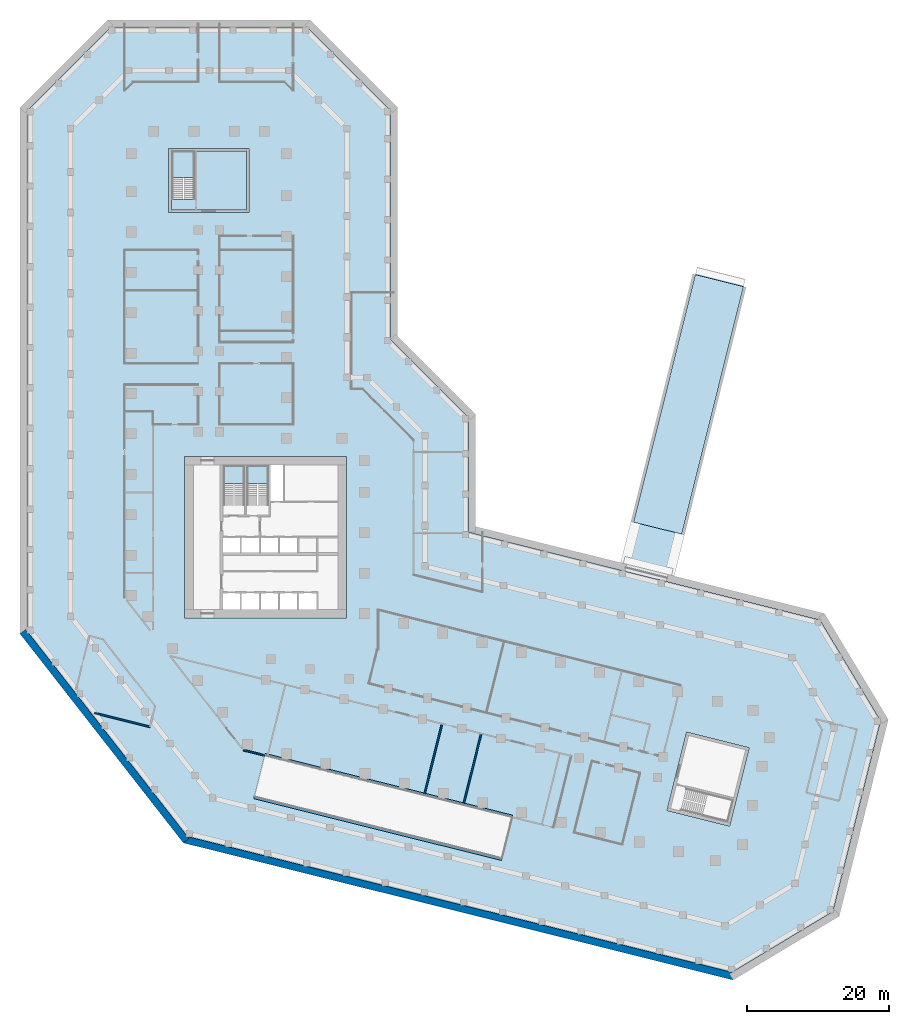
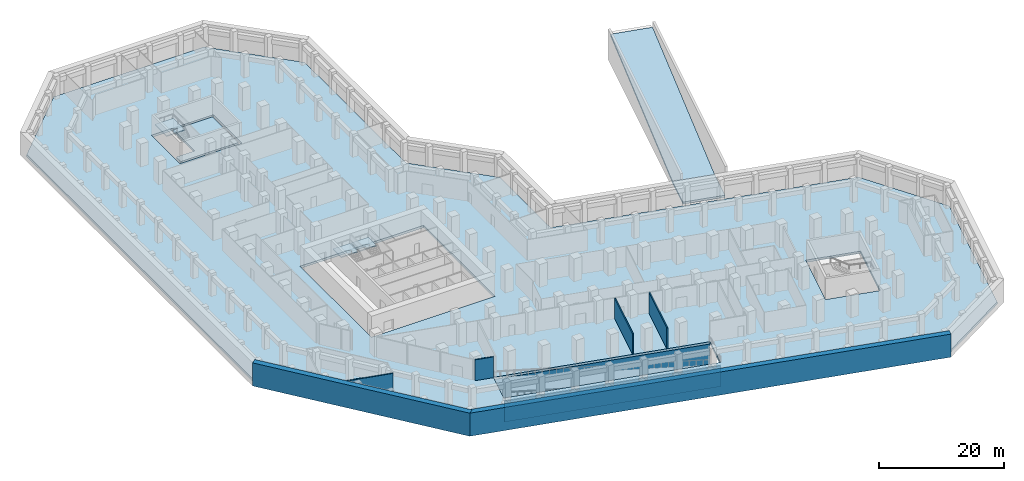
# One storey, part 4 of 14: 8 walls, 7 slabs, 3 elements without a shape of their own.
"""IFC4 building model written with IfcOpenShell, lengths in metres."""

from ifc_helpers import new_model, si_unit, direction, frame, frame_2d, origin, place, context, subcontext, project, spatial, polyline, rectangle, outline, extrude, material, layer, layer_set, type_object, element, aggregate, save


model = new_model("IFC4")

# Units and contexts
model_context = context("Model", 3, precision=1e-05, world=origin(), true_north=direction((0.0, 1.0)))
body_context = subcontext(model_context, "Body", "Model", "MODEL_VIEW")
ifc_project = project(units=[si_unit("LENGTHUNIT", "METRE"), si_unit("AREAUNIT", "SQUARE_METRE"), si_unit("VOLUMEUNIT", "CUBIC_METRE"), si_unit("PLANEANGLEUNIT", "RADIAN"), si_unit("MASSUNIT", "GRAM", prefix="KILO")], contexts=[model_context])

# Site, building, storey
site_placement = place(None, origin())
site = spatial("IfcSite", under=ifc_project, at=site_placement, CompositionType="ELEMENT")
building_placement = place(site_placement, origin())
building = spatial("IfcBuilding", under=site, at=building_placement, Name="Meshkara Civic Tower", CompositionType="ELEMENT")
storey_placement = place(building_placement, frame((0.0, 0.0, -4.5)))
storey = spatial("IfcBuildingStorey", under=building, at=storey_placement, Name="B1", CompositionType="ELEMENT", Elevation=-4.5)

# Slabs
ifc_material_1 = material(Name="Concrete C50", Category="concrete")
ifc_layer_1 = layer(ifc_material_1, 0.449951171875)
ifc_layer_set_1 = layer_set([ifc_layer_1], Name="Basement floor slab 450 C50")
slab_type_1 = type_object("IfcSlabType", Name="Basement floor slab 450 C50", PredefinedType="FLOOR", material=ifc_layer_set_1)
slab_1_placement = place(storey_placement, frame((0.0, 0.0, -0.449951171875)))
element("IfcSlab", 1, at=slab_1_placement, inside=storey, type_object=slab_type_1, Name="Basement floor slab B1", PredefinedType="FLOOR", context=body_context, shape_type="SweptSolid", body=[
    extrude(outline(polyline([(48.050048828125, 42.383056640625), (48.050048828125, 26.2041015625), (97.64990234375, 13.8369140625), (106.221923828125, -0.427001953125), (99.50390625, -27.367919921875), (85.239990234375, -35.93896484375), (8.384033203125, -16.777099609375), (-14.25, 12.193115234375), (-14.25, 85.702880859375), (-2.48291015625, 97.469970703125), (25.282958984375, 97.469970703125), (37.050048828125, 85.702880859375), (37.050048828125, 53.383056640625), (48.050048828125, 42.383056640625)]), holes=[polyline([(19.284912109375, -5.323974609375), (17.8330078125, -11.14501953125), (52.763916015625, -19.85498046875), (54.216064453125, -14.032958984375), (19.284912109375, -5.323974609375)]), polyline([(76.06298828125, -13.090087890625), (84.89208984375, -15.2919921875), (87.64990234375, -4.22998046875), (78.821044921875, -2.029052734375), (76.06298828125, -13.090087890625)]), polyline([(30.800048828125, 14.10009765625), (30.800048828125, 36.89990234375), (8.0, 36.89990234375), (8.0, 14.10009765625), (30.800048828125, 14.10009765625)]), polyline([(5.699951171875, 80.3701171875), (5.699951171875, 71.27001953125), (17.10009765625, 71.27001953125), (17.10009765625, 80.3701171875), (5.699951171875, 80.3701171875)])]), origin(), (0.0, 0.0, 1.0), 0.449951171875),
])
ifc_material_2 = material(Name="Concrete C40/50", Category="concrete")
ifc_layer_2 = layer(ifc_material_2, 0.449951171875)
ifc_layer_set_2 = layer_set([ifc_layer_2], Name="Core floor slab 450 C40/50")
slab_type_2 = type_object("IfcSlabType", Name="Core floor slab 450 C40/50", PredefinedType="FLOOR", material=ifc_layer_set_2)
slab_2_placement = place(storey_placement, frame((0.0, 0.0, -0.449951171875)))
element("IfcSlab", 2, at=slab_2_placement, inside=storey, type_object=slab_type_2, Name="Core floor EA", PredefinedType="FLOOR", context=body_context, shape_type="SweptSolid", body=[
    extrude(outline(polyline([(16.699951171875, 71.669921875), (16.699951171875, 79.969970703125), (9.5, 79.969970703125), (9.5, 73.17138671875), (6.10009765625, 73.17138671875), (6.10009765625, 71.669921875), (16.699951171875, 71.669921875)])), origin(), (0.0, 0.0, 1.0), 0.449951171875),
])

# Stair, slab
ifc_material_3 = material(Name="Precast concrete C40/50", Category="concrete")
stair_type_1 = type_object("IfcStairType", Name="Exit stair half-turn 24 risers precast", PredefinedType="HALF_TURN_STAIR", material=ifc_material_3)
stair_1_placement = place(storey_placement, origin())
stair_1 = element("IfcStair", 3, at=stair_1_placement, inside=storey, type_object=stair_type_1, Name="B1 exit stair 1", PredefinedType="HALF_TURN_STAIR")
ifc_material_4 = material(Name="Precast concrete C40/50", Category="concrete")
ifc_layer_3 = layer(ifc_material_4, 0.199951171875)
ifc_layer_set_3 = layer_set([ifc_layer_3], Name="Exit stair landing 200")
slab_type_3 = type_object("IfcSlabType", Name="Exit stair landing 200", PredefinedType="LANDING", material=ifc_layer_set_3)
slab_3_placement = place(storey_placement, frame((0.0, 0.0, 2.050048828125)))
slab_3 = element("IfcSlab", 4, at=slab_3_placement, type_object=slab_type_3, Name="ST1 landing 1", PredefinedType="LANDING", context=body_context, shape_type="SweptSolid", body=[
    extrude(outline(polyline([(16.5, 33.07861328125), (16.5, 35.699951171875), (13.39990234375, 35.699951171875), (13.39990234375, 33.07861328125), (16.5, 33.07861328125)])), origin(), (0.0, 0.0, 1.0), 0.199951171875),
])
aggregate(stair_1, [slab_3])

stair_2_placement = place(storey_placement, origin())
stair_2 = element("IfcStair", 5, at=stair_2_placement, inside=storey, type_object=stair_type_1, Name="B1 exit stair 2", PredefinedType="HALF_TURN_STAIR")
slab_4_placement = place(storey_placement, frame((0.0, 0.0, 2.050048828125)))
slab_4 = element("IfcSlab", 6, at=slab_4_placement, type_object=slab_type_3, Name="ST2 landing 1", PredefinedType="LANDING", context=body_context, shape_type="SweptSolid", body=[
    extrude(outline(polyline([(19.89990234375, 33.07861328125), (19.89990234375, 35.699951171875), (16.699951171875, 35.699951171875), (16.699951171875, 33.07861328125), (19.89990234375, 33.07861328125)])), origin(), (0.0, 0.0, 1.0), 0.199951171875),
])
aggregate(stair_2, [slab_4])

ifc_material_5 = material(Name="Precast concrete C40/50", Category="concrete")
stair_type_2 = type_object("IfcStairType", Name="Exit stair half-turn 24 risers 1500 precast", PredefinedType="HALF_TURN_STAIR", material=ifc_material_5)
stair_3_placement = place(storey_placement, origin())
stair_3 = element("IfcStair", 7, at=stair_3_placement, inside=storey, type_object=stair_type_2, Name="B1 exit stair A from B2", PredefinedType="HALF_TURN_STAIR")
slab_5_placement = place(storey_placement, frame((0.0, 0.0, 2.050048828125)))
slab_5 = element("IfcSlab", 8, at=slab_5_placement, type_object=slab_type_3, Name="ESA1 landing 1", PredefinedType="LANDING", context=body_context, shape_type="SweptSolid", body=[
    extrude(outline(polyline([(9.5, 76.24853515625), (9.5, 79.969970703125), (6.10009765625, 79.969970703125), (6.10009765625, 76.24853515625), (9.5, 76.24853515625)])), origin(), (0.0, 0.0, 1.0), 0.199951171875),
])
aggregate(stair_3, [slab_5])

# Slabs
ifc_material_6 = material(Name="Concrete C40", Category="concrete")
ifc_layer_4 = layer(ifc_material_6, 0.39990234375)
ifc_layer_set_4 = layer_set([ifc_layer_4], Name="RAMP LANDING 400")
slab_type_4 = type_object("IfcSlabType", Name="RAMP LANDING 400", PredefinedType="LANDING", material=ifc_layer_set_4)
slab_6_placement = place(storey_placement, frame((0.0, 0.0, -0.39990234375)))
element("IfcSlab", 9, at=slab_6_placement, inside=storey, type_object=slab_type_4, Name="Ramp landing", PredefinedType="LANDING", context=body_context, shape_type="SweptSolid", body=[
    extrude(outline(polyline([(76.68896484375, 20.093994140625), (78.140380859375, 25.915771484375), (71.348388671875, 27.609130859375), (69.896728515625, 21.787353515625), (76.68896484375, 20.093994140625)])), origin(), (0.0, 0.0, 1.0), 0.39990234375),
])
ifc_material_7 = material(Name="Concrete C40/50", Category="concrete")
ifc_layer_5 = layer(ifc_material_7, 0.39990234375)
ifc_layer_set_5 = layer_set([ifc_layer_5], Name="Vehicle ramp slab 400 C40/50")
slab_type_5 = type_object("IfcSlabType", Name="Vehicle ramp slab 400 C40/50", PredefinedType="USERDEFINED", material=ifc_layer_set_5)
slab_7_placement = place(storey_placement, frame((78.139892578125, 25.916015625, 0.0), z_axis=(-0.030007393202, -0.120349697811, 0.992277938176), x_axis=(-0.970314280267, 0.241847467221, -1.041295e-05)))
element("IfcSlab", 10, at=slab_7_placement, inside=storey, type_object=slab_type_5, Name="Vehicle ramp slab VR1", ObjectType="VEHICLE RAMP SLAB", PredefinedType="USERDEFINED", context=body_context, shape_type="SweptSolid", body=[
    extrude(outline(polyline([(0.0, 0.0), (6.999783597349251, 2.220446049250313e-16), (6.996111089152013, -36.280891155986694), (-0.003967732156248238, -36.279715836448275), (0.0, 0.0)])), origin(), (0.0, 0.0, -1.0), 0.39990234375),
])

# Walls
ifc_material_8 = material(Name="Concrete C50", Category="concrete")
ifc_layer_6 = layer(ifc_material_8, 1.0)
ifc_layer_set_6 = layer_set([ifc_layer_6], Name="Diaphragm wall 1000 C50")
wall_type_1 = type_object("IfcWallType", Name="Diaphragm wall 1000 C50", PredefinedType="SOLIDWALL", material=ifc_layer_set_6)
wall_1_placement = place(storey_placement, frame((85.52099609375, -36.5244140625, 0.0), z_axis=(0.0, 0.0, 1.0), x_axis=(-0.970296212076, 0.241919947155, 0.0)))
element("IfcWall", 11, at=wall_1_placement, inside=storey, type_object=wall_type_1, Name="Basement perimeter wall", PredefinedType="SOLIDWALL", context=body_context, shape_type="SweptSolid", body=[
    extrude(rectangle(XDim=79.96728515625, YDim=1.0, at=frame_2d((39.983642578125, 0.0))), origin(), (0.0, 0.0, 1.0), 4.5),
])
wall_2_placement = place(storey_placement, frame((8.201904296875, -17.356201171875, 0.0), z_axis=(0.0, 0.0, 1.0), x_axis=(-0.615661751898, 0.788010537524, 0.0)))
element("IfcWall", 12, at=wall_2_placement, inside=storey, type_object=wall_type_1, Name="Basement perimeter wall", PredefinedType="SOLIDWALL", context=body_context, shape_type="SweptSolid", body=[
    extrude(rectangle(XDim=37.4521484375, YDim=1.0, at=frame_2d((18.72607421875, 0.0))), origin(), (0.0, 0.0, 1.0), 4.5),
])
ifc_material_9 = material(Name="Fire-rated wall 200")
ifc_layer_7 = layer(ifc_material_9, 0.199951171875)
ifc_layer_set_7 = layer_set([ifc_layer_7], Name="Fire-rated wall 200")
wall_type_2 = type_object("IfcWallType", Name="Fire-rated wall 200", PredefinedType="PARTITIONING", material=ifc_layer_set_7)
wall_3_placement = place(storey_placement, frame((3.0810546875, -1.282958984375, 0.0), z_axis=(0.0, 0.0, 1.0), x_axis=(-0.970325832903, 0.241801112487, 0.0)))
element("IfcWall", 13, at=wall_3_placement, inside=storey, type_object=wall_type_2, Name="B1-R011", PredefinedType="PARTITIONING", context=body_context, shape_type="SweptSolid", body=[
    extrude(rectangle(XDim=8.05615234375, YDim=0.199951171875, at=frame_2d((4.028076171875, 0.0))), origin(), (0.0, 0.0, 1.0), 4.050048828125),
])
wall_4_placement = place(storey_placement, frame((19.2890625, -5.323974609375, 0.0), z_axis=(0.0, 0.0, 1.0), x_axis=(-0.970324286039, 0.24180731983, 0.0)))
element("IfcWall", 14, at=wall_4_placement, inside=storey, type_object=wall_type_2, Name="B1-R037", PredefinedType="PARTITIONING", context=body_context, shape_type="SweptSolid", body=[
    extrude(rectangle(XDim=3.076416015625, YDim=0.199951171875, at=frame_2d((1.5380859375, 0.0))), origin(), (0.0, 0.0, 1.0), 4.050048828125),
])
wall_5_placement = place(storey_placement, frame((41.7958984375, -10.93603515625, 0.0), z_axis=(0.0, 0.0, 1.0), x_axis=(0.241958331182, 0.970286641139, 0.0)))
element("IfcWall", 15, at=wall_5_placement, inside=storey, type_object=wall_type_2, Name="B1-R094", PredefinedType="PARTITIONING", context=body_context, shape_type="SweptSolid", body=[
    extrude(rectangle(XDim=10.349609375, YDim=0.199951171875, at=frame_2d((5.1748046875, 0.0))), origin(), (0.0, 0.0, 1.0), 4.050048828125),
])
wall_6_placement = place(storey_placement, frame((47.326904296875, -12.31494140625, 0.0), z_axis=(0.0, 0.0, 1.0), x_axis=(0.241869493914, 0.970308789981, 0.0)))
element("IfcWall", 16, at=wall_6_placement, inside=storey, type_object=wall_type_2, Name="B1-R097", PredefinedType="PARTITIONING", context=body_context, shape_type="SweptSolid", body=[
    extrude(rectangle(XDim=10.349365234375, YDim=0.199951171875, at=frame_2d((5.1748046875, 0.0))), origin(), (0.0, 0.0, 1.0), 4.050048828125),
])
ifc_material_10 = material(Name="Concrete C40/50", Category="concrete")
ifc_layer_8 = layer(ifc_material_10, 0.300048828125)
ifc_layer_set_8 = layer_set([ifc_layer_8], Name="Ramp side wall 300 C40/50")
wall_type_3 = type_object("IfcWallType", Name="Ramp side wall 300 C40/50", PredefinedType="SOLIDWALL", material=ifc_layer_set_8)
for number, where, z_axis, x_axis, name in (
    (17, (19.321044921875, -5.177978515625, -4.5), (0.0, 0.0, 1.0), (0.970297481574, -0.241914855376, 0.0), "VR2-W1"),
    (18, (17.797119140625, -11.291015625, -4.5), (0.0, 0.0, 1.0), (0.970297481574, -0.241914855376, 0.0), "VR2-W2"),
):
    element("IfcWall", number, at=place(storey_placement, frame(where, z_axis=z_axis, x_axis=x_axis)), inside=storey, type_object=wall_type_3, Name=name, PredefinedType="SOLIDWALL", context=body_context, shape_type="SweptSolid", body=[
        extrude(rectangle(XDim=36.000244140625, YDim=0.300048828125, at=frame_2d((18.0, 0.0))), origin(), (0.0, 0.0, 1.0), 4.050048828125),
    ])

save(model, "model.ifc")
